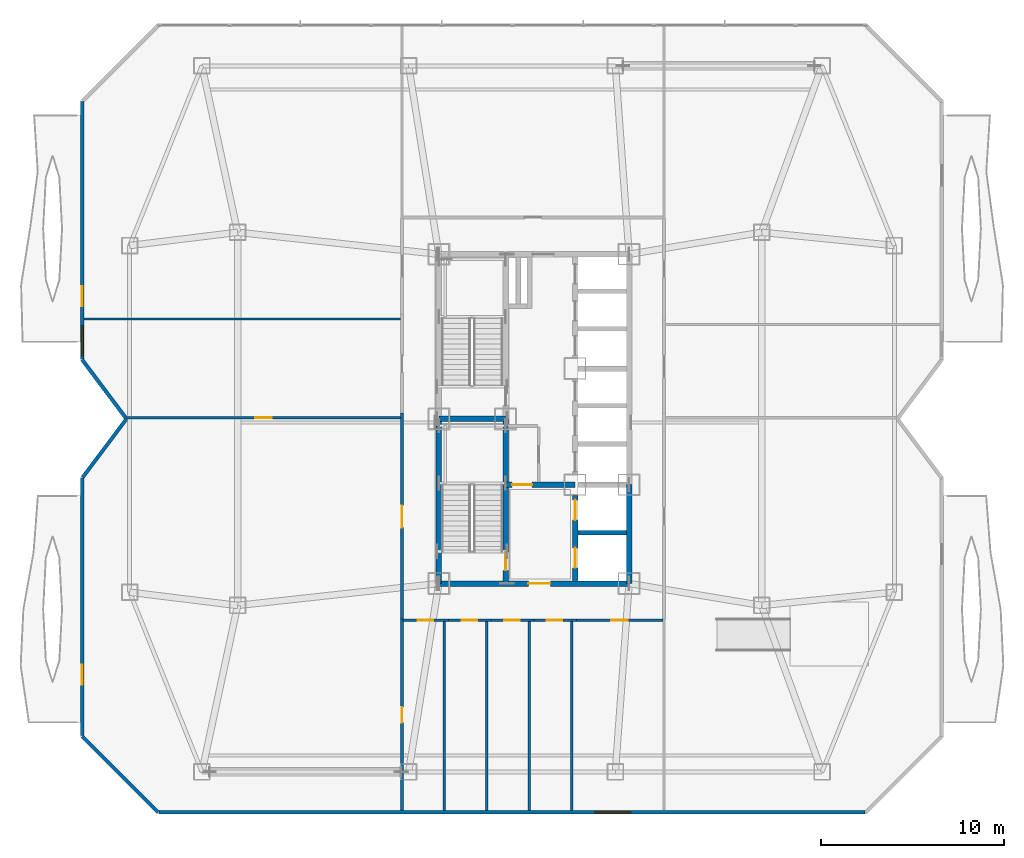
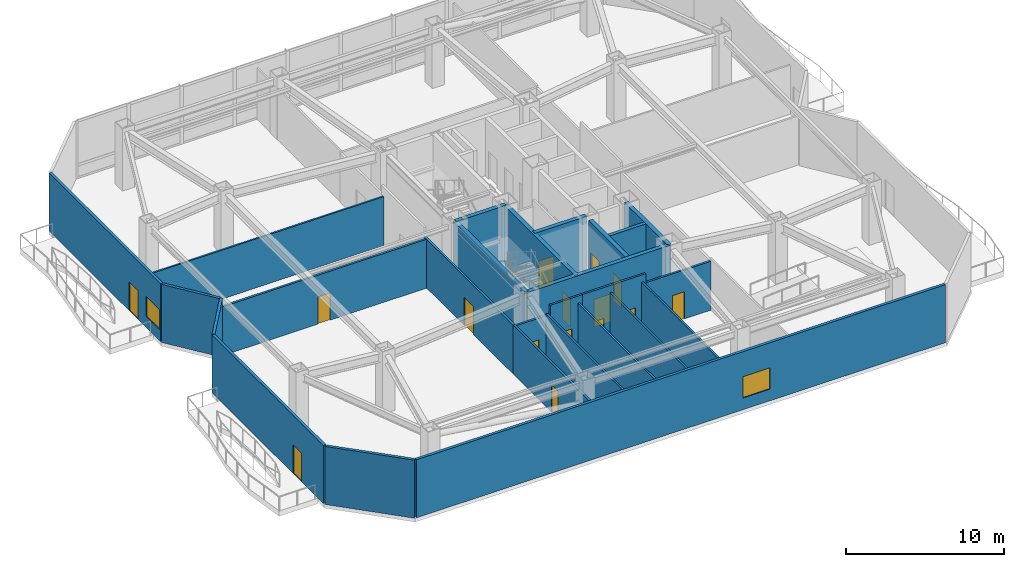
# One storey, part 10 of 16: 27 walls, 15 doors, 2 windows, 17 openings.
"""IFC4 building model written with IfcOpenShell, lengths in metres."""

from ifc_helpers import new_model, si_unit, direction, frame, frame_2d, origin, place, context, subcontext, project, spatial, rectangle, extrude, material, layer, layer_set, type_object, element, fill, save


model = new_model("IFC4")

# Units and contexts
model_context = context("Model", 3, precision=1e-05, world=origin(), true_north=direction((0.0, 1.0)))
body_context = subcontext(model_context, "Body", "Model", "MODEL_VIEW")
ifc_project = project(units=[si_unit("LENGTHUNIT", "METRE"), si_unit("AREAUNIT", "SQUARE_METRE"), si_unit("VOLUMEUNIT", "CUBIC_METRE"), si_unit("PLANEANGLEUNIT", "RADIAN"), si_unit("MASSUNIT", "GRAM", prefix="KILO")], contexts=[model_context])

# Site, building, storey
site_placement = place(None, origin())
site = spatial("IfcSite", under=ifc_project, at=site_placement, CompositionType="ELEMENT")
building_placement = place(site_placement, origin())
building = spatial("IfcBuilding", under=site, at=building_placement, Name="Khamvora Tower", CompositionType="ELEMENT")
storey_placement = place(building_placement, frame((0.0, 0.0, 145.699951171875)))
storey = spatial("IfcBuildingStorey", under=building, at=storey_placement, Name="L37", CompositionType="ELEMENT", Elevation=145.699951171875)

# Wall
ifc_material_1 = material(Name="Concrete C50/60", Category="concrete")
ifc_layer_1 = layer(ifc_material_1, 0.300048828125)
ifc_layer_set_1 = layer_set([ifc_layer_1], Name="Concrete C50/60")
wall_type_1 = type_object("IfcWallType", Name="WAL-CORE-300", PredefinedType="SHEAR", material=ifc_layer_set_1)
wall_1_placement = place(storey_placement, frame((29.0, 19.0, 0.0), z_axis=(0.0, 0.0, 1.0), x_axis=(0.0, 1.0, 0.0)))
element("IfcWall", 1, at=wall_1_placement, inside=storey, type_object=wall_type_1, Name="L37 central core west south wall", PredefinedType="SHEAR", context=body_context, shape_type="SweptSolid", body=[
    extrude(rectangle(XDim=9.0, YDim=0.300048828125, at=frame_2d((4.5, 0.0))), origin(), (0.0, 0.0, 1.0), 4.47998046875),
])

# Wall, opening, door
wall_2_placement = place(storey_placement, frame((29.0, 19.0, 0.0), z_axis=(0.0, 0.0, 1.0), x_axis=(1.0, 0.0, 0.0)))
wall_2 = element("IfcWall", 2, at=wall_2_placement, inside=storey, type_object=wall_type_1, Name="L37 central core south wall", PredefinedType="SHEAR", context=body_context, shape_type="SweptSolid", body=[
    extrude(rectangle(XDim=10.39990234375, YDim=0.300048828125, at=frame_2d((5.199951171875, 0.0))), origin(), (0.0, 0.0, 1.0), 4.47998046875),
])
opening_1_placement = place(wall_2_placement, frame((4.89990234375, 0.0, 0.0)))
opening_1 = element("IfcOpeningElement", 3, at=opening_1_placement, cuts=wall_2, Name="Opening D-CR1", PredefinedType="OPENING", context=body_context, shape_type="SweptSolid", body=[
    extrude(rectangle(XDim=1.199951171875, YDim=2.14990234375, at=frame_2d((0.60009765625, 1.074951171875))), frame((0.0, 0.159912109375, 0.0), z_axis=(0.0, -1.0, 0.0), x_axis=(1.0, 0.0, 0.0)), (0.0, 0.0, 1.0), 0.320068359375),
])
ifc_material_2 = material(Name="Powder-Coated Steel and Hardwood Leaf", Category="steel")
door_type_1 = type_object("IfcDoorType", Name="DOR-CORR-1200", OperationType="NOTDEFINED", PredefinedType="DOOR", material=ifc_material_2)
door_1_placement = place(opening_1_placement, origin())
door_1 = element("IfcDoor", 4, at=door_1_placement, inside=storey, type_object=door_type_1, Name="L37 south core lobby to corridor fire door", OperationType="SINGLE_SWING_RIGHT", OverallHeight=2.14990234375, OverallWidth=1.199951171875, PredefinedType="DOOR", context=body_context, shape_type="SweptSolid", body=[
    extrude(rectangle(XDim=1.199951171875, YDim=2.14990234375, at=frame_2d((0.60009765625, 1.074951171875))), frame((0.0, 0.02490234375, 0.0), z_axis=(0.0, -1.0, 0.0), x_axis=(1.0, 0.0, 0.0)), (0.0, 0.0, 1.0), 0.050048828125),
])
fill(opening_1, door_1)

# Wall
wall_3_placement = place(storey_placement, frame((39.39990234375, 19.0, 0.0), z_axis=(0.0, 0.0, 1.0), x_axis=(0.0, 1.0, 0.0)))
element("IfcWall", 5, at=wall_3_placement, inside=storey, type_object=wall_type_1, Name="L37 central core east south wall", PredefinedType="SHEAR", context=body_context, shape_type="SweptSolid", body=[
    extrude(rectangle(XDim=5.39990234375, YDim=0.300048828125, at=frame_2d((2.699951171875, 0.0))), origin(), (0.0, 0.0, 1.0), 4.47998046875),
])

# Wall, opening, door
wall_4_placement = place(storey_placement, frame((32.64990234375, 19.0, 0.0), z_axis=(0.0, 0.0, 1.0), x_axis=(0.0, 1.0, 0.0)))
wall_4 = element("IfcWall", 6, at=wall_4_placement, inside=storey, type_object=wall_type_1, Name="L37 central core stair south spine wall", PredefinedType="SHEAR", context=body_context, shape_type="SweptSolid", body=[
    extrude(rectangle(XDim=9.0, YDim=0.300048828125, at=frame_2d((4.5, 0.0))), origin(), (0.0, 0.0, 1.0), 4.47998046875),
])
opening_2_placement = place(wall_4_placement, frame((0.719970703125, 0.0, 0.0)))
opening_2 = element("IfcOpeningElement", 7, at=opening_2_placement, cuts=wall_4, Name="Opening D-ST1", PredefinedType="OPENING", context=body_context, shape_type="SweptSolid", body=[
    extrude(rectangle(XDim=1.0, YDim=2.14990234375, at=frame_2d((0.5, 1.074951171875))), frame((0.0, 0.159912109375, 0.0), z_axis=(0.0, -1.0, 0.0), x_axis=(1.0, 0.0, 0.0)), (0.0, 0.0, 1.0), 0.320068359375),
])
door_type_2 = type_object("IfcDoorType", Name="DOR-STAIR-1000", OperationType="NOTDEFINED", PredefinedType="DOOR", material=ifc_material_2)
door_2_placement = place(opening_2_placement, origin())
door_2 = element("IfcDoor", 8, at=door_2_placement, inside=storey, type_object=door_type_2, Name="L37 exit stair ST-01 fire door", OperationType="SINGLE_SWING_RIGHT", OverallHeight=2.14990234375, OverallWidth=1.0, PredefinedType="DOOR", context=body_context, shape_type="SweptSolid", body=[
    extrude(rectangle(XDim=1.0, YDim=2.14990234375, at=frame_2d((0.5, 1.074951171875))), frame((0.0, 0.02490234375, 0.0), z_axis=(0.0, -1.0, 0.0), x_axis=(1.0, 0.0, 0.0)), (0.0, 0.0, 1.0), 0.050048828125),
])
fill(opening_2, door_2)

# Wall
wall_5_placement = place(storey_placement, frame((29.0, 28.0, 0.0), z_axis=(0.0, 0.0, 1.0), x_axis=(1.0, 0.0, 0.0)))
element("IfcWall", 9, at=wall_5_placement, inside=storey, type_object=wall_type_1, Name="L37 central core stair cross wall", PredefinedType="SHEAR", context=body_context, shape_type="SweptSolid", body=[
    extrude(rectangle(XDim=3.64990234375, YDim=0.300048828125, at=frame_2d((1.824951171875, 0.0))), origin(), (0.0, 0.0, 1.0), 4.47998046875),
])

# Wall, opening, door
wall_6_placement = place(storey_placement, frame((32.64990234375, 24.39990234375, 0.0), z_axis=(0.0, 0.0, 1.0), x_axis=(1.0, 0.0, 0.0)))
wall_6 = element("IfcWall", 10, at=wall_6_placement, inside=storey, type_object=wall_type_1, Name="L37 central core firefighting lobby north wall", PredefinedType="SHEAR", context=body_context, shape_type="SweptSolid", body=[
    extrude(rectangle(XDim=3.800048828125, YDim=0.300048828125, at=frame_2d((1.89990234375, 0.0))), origin(), (0.0, 0.0, 1.0), 4.47998046875),
])
opening_3_placement = place(wall_6_placement, frame((0.35009765625, 0.0, 0.0)))
opening_3 = element("IfcOpeningElement", 11, at=opening_3_placement, cuts=wall_6, Name="Opening D-FF1", PredefinedType="OPENING", context=body_context, shape_type="SweptSolid", body=[
    extrude(rectangle(XDim=1.10009765625, YDim=2.14990234375, at=frame_2d((0.550048828125, 1.074951171875))), frame((0.0, 0.159912109375, 0.0), z_axis=(0.0, -1.0, 0.0), x_axis=(1.0, 0.0, 0.0)), (0.0, 0.0, 1.0), 0.320068359375),
])
door_type_3 = type_object("IfcDoorType", Name="DOR-FFLOB-1100", OperationType="NOTDEFINED", PredefinedType="DOOR", material=ifc_material_2)
door_3_placement = place(opening_3_placement, origin())
door_3 = element("IfcDoor", 12, at=door_3_placement, inside=storey, type_object=door_type_3, Name="L37 firefighting lobby smoke-seal fire door", OperationType="SINGLE_SWING_LEFT", OverallHeight=2.14990234375, OverallWidth=1.10009765625, PredefinedType="DOOR", context=body_context, shape_type="SweptSolid", body=[
    extrude(rectangle(XDim=1.10009765625, YDim=2.14990234375, at=frame_2d((0.550048828125, 1.074951171875))), frame((0.0, 0.02490234375, 0.0), z_axis=(0.0, -1.0, 0.0), x_axis=(1.0, 0.0, 0.0)), (0.0, 0.0, 1.0), 0.050048828125),
])
fill(opening_3, door_3)

# Wall, openings, doors
wall_7_placement = place(storey_placement, frame((36.449951171875, 19.154052734375, 0.0), z_axis=(0.0, 0.0, 1.0), x_axis=(0.0, 1.0, 0.0)))
wall_7 = element("IfcWall", 13, at=wall_7_placement, inside=storey, type_object=wall_type_1, Name="L37 central core lift bank south wall", PredefinedType="SHEAR", context=body_context, shape_type="SweptSolid", body=[
    extrude(rectangle(XDim=4.64599609375, YDim=0.300048828125, at=frame_2d((2.322998046875, 0.0))), origin(), (0.0, 0.0, 1.0), 4.47998046875),
])
opening_4_placement = place(wall_7_placement, frame((0.696044921875, 0.0, 0.0)))
opening_4 = element("IfcOpeningElement", 14, at=opening_4_placement, cuts=wall_7, Name="Opening LD-FFL", PredefinedType="OPENING", context=body_context, shape_type="SweptSolid", body=[
    extrude(rectangle(XDim=1.10009765625, YDim=2.14990234375, at=frame_2d((0.550048828125, 1.074951171875))), frame((0.0, 0.159912109375, 0.0), z_axis=(0.0, -1.0, 0.0), x_axis=(1.0, 0.0, 0.0)), (0.0, 0.0, 1.0), 0.320068359375),
])
opening_5_placement = place(wall_7_placement, frame((3.31591796875, 0.0, 0.0)))
opening_5 = element("IfcOpeningElement", 15, at=opening_5_placement, cuts=wall_7, Name="Opening LD-FFL", PredefinedType="OPENING", context=body_context, shape_type="SweptSolid", body=[
    extrude(rectangle(XDim=1.10009765625, YDim=2.14990234375, at=frame_2d((0.550048828125, 1.074951171875))), frame((0.0, 0.159912109375, 0.0), z_axis=(0.0, -1.0, 0.0), x_axis=(1.0, 0.0, 0.0)), (0.0, 0.0, 1.0), 0.320068359375),
])
door_type_4 = type_object("IfcDoorType", Name="DOR-LIFT-1100", OperationType="SLIDING_TO_LEFT", PredefinedType="DOOR", material=ifc_material_2)
door_4_placement = place(opening_4_placement, origin())
door_4 = element("IfcDoor", 16, at=door_4_placement, inside=storey, type_object=door_type_4, Name="L37 lift landing sliding door FFL-01", OperationType="SLIDING_TO_LEFT", OverallHeight=2.14990234375, OverallWidth=1.10009765625, PredefinedType="DOOR", context=body_context, shape_type="SweptSolid", body=[
    extrude(rectangle(XDim=1.10009765625, YDim=2.14990234375, at=frame_2d((0.550048828125, 1.074951171875))), frame((0.0, 0.02490234375, 0.0), z_axis=(0.0, -1.0, 0.0), x_axis=(1.0, 0.0, 0.0)), (0.0, 0.0, 1.0), 0.050048828125),
])
fill(opening_4, door_4)
door_5_placement = place(opening_5_placement, origin())
door_5 = element("IfcDoor", 17, at=door_5_placement, inside=storey, type_object=door_type_4, Name="L37 lift landing sliding door FFL-02", OperationType="SLIDING_TO_LEFT", OverallHeight=2.14990234375, OverallWidth=1.10009765625, PredefinedType="DOOR", context=body_context, shape_type="SweptSolid", body=[
    extrude(rectangle(XDim=1.10009765625, YDim=2.14990234375, at=frame_2d((0.550048828125, 1.074951171875))), frame((0.0, 0.02490234375, 0.0), z_axis=(0.0, -1.0, 0.0), x_axis=(1.0, 0.0, 0.0)), (0.0, 0.0, 1.0), 0.050048828125),
])
fill(opening_5, door_5)

# Wall, opening, door
ifc_material_3 = material(Name="Fire-Rated Drywall and Steel Stud", Category="steel")
ifc_layer_2 = layer(ifc_material_3, 0.14990234375)
ifc_layer_set_2 = layer_set([ifc_layer_2], Name="Fire-Rated Drywall and Steel Stud")
wall_type_2 = type_object("IfcWallType", Name="WAL-CORR-150", PredefinedType="STANDARD", material=ifc_layer_set_2)
wall_8_placement = place(storey_placement, frame((26.985107421875, 17.050048828125, 0.0), z_axis=(0.0, 0.0, 1.0), x_axis=(0.0, 1.0, 0.0)))
wall_8 = element("IfcWall", 18, at=wall_8_placement, inside=storey, type_object=wall_type_2, Name="L37 interior partition wall 004", PredefinedType="STANDARD", context=body_context, shape_type="SweptSolid", body=[
    extrude(rectangle(XDim=11.263916015625, YDim=0.14990234375, at=frame_2d((5.6318359375, 0.0))), origin(), (0.0, 0.0, 1.0), 3.775146484375),
])
opening_6_placement = place(wall_8_placement, frame((5.010986328125, 0.0, 0.0)))
opening_6 = element("IfcOpeningElement", 19, at=opening_6_placement, cuts=wall_8, Name="Opening D-CR1", PredefinedType="OPENING", context=body_context, shape_type="SweptSolid", body=[
    extrude(rectangle(XDim=1.199951171875, YDim=2.14990234375, at=frame_2d((0.60009765625, 1.074951171875))), frame((0.0, 0.0849609375, 0.0), z_axis=(0.0, -1.0, 0.0), x_axis=(1.0, 0.0, 0.0)), (0.0, 0.0, 1.0), 0.169921875),
])
door_6_placement = place(opening_6_placement, origin())
door_6 = element("IfcDoor", 20, at=door_6_placement, inside=storey, type_object=door_type_1, Name="L37 interior door ACOR-SKYL", OperationType="SINGLE_SWING_RIGHT", OverallHeight=2.14990234375, OverallWidth=1.199951171875, PredefinedType="DOOR", context=body_context, shape_type="SweptSolid", body=[
    extrude(rectangle(XDim=1.199951171875, YDim=2.14990234375, at=frame_2d((0.60009765625, 1.074951171875))), frame((0.0, 0.02490234375, 0.0), z_axis=(0.0, -1.0, 0.0), x_axis=(1.0, 0.0, 0.0)), (0.0, 0.0, 1.0), 0.050048828125),
])
fill(opening_6, door_6)

wall_9_placement = place(storey_placement, frame((29.533935546875, 16.985107421875, 0.0), z_axis=(0.0, 0.0, 1.0), x_axis=(-1.0, 0.0, 0.0)))
wall_9 = element("IfcWall", 21, at=wall_9_placement, inside=storey, type_object=wall_type_2, Name="L37 interior partition wall 009", PredefinedType="STANDARD", context=body_context, shape_type="SweptSolid", body=[
    extrude(rectangle(XDim=2.48388671875, YDim=0.14990234375, at=frame_2d((1.241943359375, 0.0))), origin(), (0.0, 0.0, 1.0), 3.775146484375),
])
opening_7_placement = place(wall_9_placement, frame((0.837890625, 0.0, 0.0)))
opening_7 = element("IfcOpeningElement", 22, at=opening_7_placement, cuts=wall_9, Name="Opening D-WC1", PredefinedType="OPENING", context=body_context, shape_type="SweptSolid", body=[
    extrude(rectangle(XDim=0.85009765625, YDim=2.10009765625, at=frame_2d((0.425048828125, 1.050048828125))), frame((0.0, 0.0849609375, 0.0), z_axis=(0.0, -1.0, 0.0), x_axis=(1.0, 0.0, 0.0)), (0.0, 0.0, 1.0), 0.169921875),
])
door_type_5 = type_object("IfcDoorType", Name="DOR-WET-850", OperationType="NOTDEFINED", PredefinedType="DOOR", material=ifc_material_2)
door_7_placement = place(opening_7_placement, origin())
door_7 = element("IfcDoor", 23, at=door_7_placement, inside=storey, type_object=door_type_5, Name="L37 interior door ACOR-AWC1", OperationType="SINGLE_SWING_LEFT", OverallHeight=2.10009765625, OverallWidth=0.85009765625, PredefinedType="DOOR", context=body_context, shape_type="SweptSolid", body=[
    extrude(rectangle(XDim=0.85009765625, YDim=2.10009765625, at=frame_2d((0.425048828125, 1.050048828125))), frame((0.0, 0.02490234375, 0.0), z_axis=(0.0, -1.0, 0.0), x_axis=(1.0, 0.0, 0.0)), (0.0, 0.0, 1.0), 0.050048828125),
])
fill(opening_7, door_7)

wall_10_placement = place(storey_placement, frame((31.864013671875, 16.985107421875, 0.0), z_axis=(0.0, 0.0, 1.0), x_axis=(-1.0, 0.0, 0.0)))
wall_10 = element("IfcWall", 24, at=wall_10_placement, inside=storey, type_object=wall_type_2, Name="L37 interior partition wall 010", PredefinedType="STANDARD", context=body_context, shape_type="SweptSolid", body=[
    extrude(rectangle(XDim=2.330078125, YDim=0.14990234375, at=frame_2d((1.1650390625, 0.0))), origin(), (0.0, 0.0, 1.0), 4.47998046875),
])
opening_8_placement = place(wall_10_placement, frame((0.760986328125, 0.0, 0.0)))
opening_8 = element("IfcOpeningElement", 25, at=opening_8_placement, cuts=wall_10, Name="Opening D-WC1", PredefinedType="OPENING", context=body_context, shape_type="SweptSolid", body=[
    extrude(rectangle(XDim=0.85009765625, YDim=2.10009765625, at=frame_2d((0.425048828125, 1.050048828125))), frame((0.0, 0.0849609375, 0.0), z_axis=(0.0, -1.0, 0.0), x_axis=(1.0, 0.0, 0.0)), (0.0, 0.0, 1.0), 0.169921875),
])
door_8_placement = place(opening_8_placement, origin())
door_8 = element("IfcDoor", 26, at=door_8_placement, inside=storey, type_object=door_type_5, Name="L37 interior door ACOR-AWC2", OperationType="SINGLE_SWING_RIGHT", OverallHeight=2.10009765625, OverallWidth=0.85009765625, PredefinedType="DOOR", context=body_context, shape_type="SweptSolid", body=[
    extrude(rectangle(XDim=0.85009765625, YDim=2.10009765625, at=frame_2d((0.425048828125, 1.050048828125))), frame((0.0, 0.02490234375, 0.0), z_axis=(0.0, -1.0, 0.0), x_axis=(1.0, 0.0, 0.0)), (0.0, 0.0, 1.0), 0.050048828125),
])
fill(opening_8, door_8)

wall_11_placement = place(storey_placement, frame((34.194091796875, 16.985107421875, 0.0), z_axis=(0.0, 0.0, 1.0), x_axis=(-1.0, 0.0, 0.0)))
wall_11 = element("IfcWall", 27, at=wall_11_placement, inside=storey, type_object=wall_type_2, Name="L37 interior partition wall 011", PredefinedType="STANDARD", context=body_context, shape_type="SweptSolid", body=[
    extrude(rectangle(XDim=2.330078125, YDim=0.14990234375, at=frame_2d((1.1650390625, 0.0))), origin(), (0.0, 0.0, 1.0), 4.47998046875),
])
opening_9_placement = place(wall_11_placement, frame((0.760986328125, 0.0, 0.0)))
opening_9 = element("IfcOpeningElement", 28, at=opening_9_placement, cuts=wall_11, Name="Opening D-WC1", PredefinedType="OPENING", context=body_context, shape_type="SweptSolid", body=[
    extrude(rectangle(XDim=0.85009765625, YDim=2.10009765625, at=frame_2d((0.425048828125, 1.050048828125))), frame((0.0, 0.0849609375, 0.0), z_axis=(0.0, -1.0, 0.0), x_axis=(1.0, 0.0, 0.0)), (0.0, 0.0, 1.0), 0.169921875),
])
door_9_placement = place(opening_9_placement, origin())
door_9 = element("IfcDoor", 29, at=door_9_placement, inside=storey, type_object=door_type_5, Name="L37 interior door ACOR-AWC3", OperationType="SINGLE_SWING_LEFT", OverallHeight=2.10009765625, OverallWidth=0.85009765625, PredefinedType="DOOR", context=body_context, shape_type="SweptSolid", body=[
    extrude(rectangle(XDim=0.85009765625, YDim=2.10009765625, at=frame_2d((0.425048828125, 1.050048828125))), frame((0.0, 0.02490234375, 0.0), z_axis=(0.0, -1.0, 0.0), x_axis=(1.0, 0.0, 0.0)), (0.0, 0.0, 1.0), 0.050048828125),
])
fill(opening_9, door_9)

wall_12_placement = place(storey_placement, frame((36.513916015625, 16.985107421875, 0.0), z_axis=(0.0, 0.0, 1.0), x_axis=(-1.0, 0.0, 0.0)))
wall_12 = element("IfcWall", 30, at=wall_12_placement, inside=storey, type_object=wall_type_2, Name="L37 interior partition wall 012", PredefinedType="STANDARD", context=body_context, shape_type="SweptSolid", body=[
    extrude(rectangle(XDim=2.31982421875, YDim=0.14990234375, at=frame_2d((1.159912109375, 0.0))), origin(), (0.0, 0.0, 1.0), 4.47998046875),
])
opening_10_placement = place(wall_12_placement, frame((0.756103515625, 0.0, 0.0)))
opening_10 = element("IfcOpeningElement", 31, at=opening_10_placement, cuts=wall_12, Name="Opening D-WC1", PredefinedType="OPENING", context=body_context, shape_type="SweptSolid", body=[
    extrude(rectangle(XDim=0.85009765625, YDim=2.10009765625, at=frame_2d((0.425048828125, 1.050048828125))), frame((0.0, 0.0849609375, 0.0), z_axis=(0.0, -1.0, 0.0), x_axis=(1.0, 0.0, 0.0)), (0.0, 0.0, 1.0), 0.169921875),
])
door_10_placement = place(opening_10_placement, origin())
door_10 = element("IfcDoor", 32, at=door_10_placement, inside=storey, type_object=door_type_5, Name="L37 interior door ACOR-AWC4", OperationType="SINGLE_SWING_RIGHT", OverallHeight=2.10009765625, OverallWidth=0.85009765625, PredefinedType="DOOR", context=body_context, shape_type="SweptSolid", body=[
    extrude(rectangle(XDim=0.85009765625, YDim=2.10009765625, at=frame_2d((0.425048828125, 1.050048828125))), frame((0.0, 0.02490234375, 0.0), z_axis=(0.0, -1.0, 0.0), x_axis=(1.0, 0.0, 0.0)), (0.0, 0.0, 1.0), 0.050048828125),
])
fill(opening_10, door_10)

wall_13_placement = place(storey_placement, frame((41.25, 16.985107421875, 0.0), z_axis=(0.0, 0.0, 1.0), x_axis=(-1.0, 0.0, 0.0)))
wall_13 = element("IfcWall", 33, at=wall_13_placement, inside=storey, type_object=wall_type_2, Name="L37 interior partition wall 013", PredefinedType="STANDARD", context=body_context, shape_type="SweptSolid", body=[
    extrude(rectangle(XDim=4.736083984375, YDim=0.14990234375, at=frame_2d((2.3681640625, 0.0))), origin(), (0.0, 0.0, 1.0), 3.775146484375),
])
opening_11_placement = place(wall_13_placement, frame((1.91796875, 0.0, 0.0)))
opening_11 = element("IfcOpeningElement", 34, at=opening_11_placement, cuts=wall_13, Name="Opening D-RM1", PredefinedType="OPENING", context=body_context, shape_type="SweptSolid", body=[
    extrude(rectangle(XDim=0.89990234375, YDim=2.10009765625, at=frame_2d((0.449951171875, 1.050048828125))), frame((0.0, 0.0849609375, 0.0), z_axis=(0.0, -1.0, 0.0), x_axis=(1.0, 0.0, 0.0)), (0.0, 0.0, 1.0), 0.169921875),
])
door_type_6 = type_object("IfcDoorType", Name="DOR-ROOM-900", OperationType="NOTDEFINED", PredefinedType="DOOR", material=ifc_material_2)
door_11_placement = place(opening_11_placement, origin())
door_11 = element("IfcDoor", 35, at=door_11_placement, inside=storey, type_object=door_type_6, Name="L37 interior door ACOR-AST2", OperationType="SINGLE_SWING_LEFT", OverallHeight=2.10009765625, OverallWidth=0.89990234375, PredefinedType="DOOR", context=body_context, shape_type="SweptSolid", body=[
    extrude(rectangle(XDim=0.89990234375, YDim=2.10009765625, at=frame_2d((0.449951171875, 1.050048828125))), frame((0.0, 0.02490234375, 0.0), z_axis=(0.0, -1.0, 0.0), x_axis=(1.0, 0.0, 0.0)), (0.0, 0.0, 1.0), 0.050048828125),
])
fill(opening_11, door_11)

wall_14_placement = place(storey_placement, frame((11.927978515625, 28.06494140625, 0.0), z_axis=(0.0, 0.0, 1.0), x_axis=(1.0, 0.0, 0.0)))
wall_14 = element("IfcWall", 36, at=wall_14_placement, inside=storey, type_object=wall_type_2, Name="L37 interior partition wall 017", PredefinedType="STANDARD", context=body_context, shape_type="SweptSolid", body=[
    extrude(rectangle(XDim=14.989990234375, YDim=0.14990234375, at=frame_2d((7.4951171875, 0.0))), origin(), (0.0, 0.0, 1.0), 3.775146484375),
])
opening_12_placement = place(wall_14_placement, frame((7.044921875, 0.0, 0.0)))
opening_12 = element("IfcOpeningElement", 37, at=opening_12_placement, cuts=wall_14, Name="Opening D-RM1", PredefinedType="OPENING", context=body_context, shape_type="SweptSolid", body=[
    extrude(rectangle(XDim=0.89990234375, YDim=2.10009765625, at=frame_2d((0.449951171875, 1.050048828125))), frame((0.0, 0.0849609375, 0.0), z_axis=(0.0, -1.0, 0.0), x_axis=(1.0, 0.0, 0.0)), (0.0, 0.0, 1.0), 0.169921875),
])
door_12_placement = place(opening_12_placement, origin())
door_12 = element("IfcDoor", 38, at=door_12_placement, inside=storey, type_object=door_type_6, Name="L37 interior door SKYL-MEET", OperationType="SINGLE_SWING_LEFT", OverallHeight=2.10009765625, OverallWidth=0.89990234375, PredefinedType="DOOR", context=body_context, shape_type="SweptSolid", body=[
    extrude(rectangle(XDim=0.89990234375, YDim=2.10009765625, at=frame_2d((0.449951171875, 1.050048828125))), frame((0.0, 0.02490234375, 0.0), z_axis=(0.0, -1.0, 0.0), x_axis=(1.0, 0.0, 0.0)), (0.0, 0.0, 1.0), 0.050048828125),
])
fill(opening_12, door_12)

wall_15_placement = place(storey_placement, frame((26.985107421875, 17.050048828125, 0.0), z_axis=(0.0, 0.0, 1.0), x_axis=(0.0, -1.0, 0.0)))
wall_15 = element("IfcWall", 39, at=wall_15_placement, inside=storey, type_object=wall_type_2, Name="L37 interior partition wall 018", PredefinedType="STANDARD", context=body_context, shape_type="SweptSolid", body=[
    extrude(rectangle(XDim=10.4580078125, YDim=0.14990234375, at=frame_2d((5.22900390625, 0.0))), origin(), (0.0, 0.0, 1.0), 3.775146484375),
])
opening_13_placement = place(wall_15_placement, frame((4.803955078125, 0.0, 0.0)))
opening_13 = element("IfcOpeningElement", 40, at=opening_13_placement, cuts=wall_15, Name="Opening D-WC1", PredefinedType="OPENING", context=body_context, shape_type="SweptSolid", body=[
    extrude(rectangle(XDim=0.85009765625, YDim=2.10009765625, at=frame_2d((0.425048828125, 1.050048828125))), frame((0.0, 0.0849609375, 0.0), z_axis=(0.0, -1.0, 0.0), x_axis=(1.0, 0.0, 0.0)), (0.0, 0.0, 1.0), 0.169921875),
])
door_13_placement = place(opening_13_placement, origin())
door_13 = element("IfcDoor", 41, at=door_13_placement, inside=storey, type_object=door_type_5, Name="L37 interior door SKYL-AWC1", OperationType="SINGLE_SWING_RIGHT", OverallHeight=2.10009765625, OverallWidth=0.85009765625, PredefinedType="DOOR", context=body_context, shape_type="SweptSolid", body=[
    extrude(rectangle(XDim=0.85009765625, YDim=2.10009765625, at=frame_2d((0.425048828125, 1.050048828125))), frame((0.0, 0.02490234375, 0.0), z_axis=(0.0, -1.0, 0.0), x_axis=(1.0, 0.0, 0.0)), (0.0, 0.0, 1.0), 0.050048828125),
])
fill(opening_13, door_13)

# Wall
ifc_material_4 = material(Name="Precast concrete C40/50", Category="concrete")
ifc_layer_3 = layer(ifc_material_4, 0.199951171875)
ifc_layer_set_3 = layer_set([ifc_layer_3], Name="Precast concrete C40/50")
wall_type_3 = type_object("IfcWallType", Name="WAL-EXT-200", PredefinedType="STANDARD", material=ifc_layer_set_3)
wall_16_placement = place(storey_placement, frame((13.64111328125, 6.5, 0.0), z_axis=(0.0, 0.0, 1.0), x_axis=(-0.707106781187, 0.707106781187, 0.0)))
element("IfcWall", 42, at=wall_16_placement, inside=storey, type_object=wall_type_3, Name="L37 exterior facade wall 01.1", PredefinedType="STANDARD", context=body_context, shape_type="SweptSolid", body=[
    extrude(rectangle(XDim=5.8564453125, YDim=0.199951171875, at=frame_2d((2.92822265625, 0.0))), origin(), (0.0, 0.0, 1.0), 4.47998046875),
])

# Wall, opening, door
wall_17_placement = place(storey_placement, frame((9.5, 10.7041015625, 0.0), z_axis=(0.0, 0.0, 1.0), x_axis=(0.0, 1.0, 0.0)))
wall_17 = element("IfcWall", 43, at=wall_17_placement, inside=storey, type_object=wall_type_3, Name="L37 exterior facade wall 02.1", PredefinedType="STANDARD", context=body_context, shape_type="SweptSolid", body=[
    extrude(rectangle(XDim=14.06298828125, YDim=0.199951171875, at=frame_2d((7.031494140625, 0.0))), origin(), (0.0, 0.0, 1.0), 4.47998046875),
])
opening_14_placement = place(wall_17_placement, frame((2.748046875, 0.0, 0.0)))
opening_14 = element("IfcOpeningElement", 44, at=opening_14_placement, cuts=wall_17, Name="Opening BD-01", PredefinedType="OPENING", context=body_context, shape_type="SweptSolid", body=[
    extrude(rectangle(XDim=1.10009765625, YDim=2.199951171875, at=frame_2d((0.550048828125, 1.10009765625))), frame((0.0, 0.10986328125, 0.0), z_axis=(0.0, -1.0, 0.0), x_axis=(1.0, 0.0, 0.0)), (0.0, 0.0, 1.0), 0.219970703125),
])
ifc_material_5 = material(Name="Anodised Aluminium and Laminated Safety Glass", Category="aluminium")
door_type_7 = type_object("IfcDoorType", Name="DOR-BAL-1100", OperationType="NOTDEFINED", PredefinedType="DOOR", material=ifc_material_5)
door_14_placement = place(opening_14_placement, origin())
door_14 = element("IfcDoor", 45, at=door_14_placement, inside=storey, type_object=door_type_7, Name="L37 lens gallery balcony door WL1", OperationType="SLIDING_TO_LEFT", OverallHeight=2.199951171875, OverallWidth=1.10009765625, PredefinedType="DOOR", context=body_context, shape_type="SweptSolid", body=[
    extrude(rectangle(XDim=1.10009765625, YDim=2.199951171875, at=frame_2d((0.550048828125, 1.10009765625))), frame((0.0, 0.02490234375, 0.0), z_axis=(0.0, -1.0, 0.0), x_axis=(1.0, 0.0, 0.0)), (0.0, 0.0, 1.0), 0.050048828125),
])
fill(opening_14, door_14)

# Walls
wall_18_placement = place(storey_placement, frame((9.530029296875, 24.806884765625, 0.0), z_axis=(0.0, 0.0, 1.0), x_axis=(0.600029358831, 0.799977980035, 0.0)))
element("IfcWall", 46, at=wall_18_placement, inside=storey, type_object=wall_type_3, Name="L37 exterior facade wall 03.1", PredefinedType="STANDARD", context=body_context, shape_type="SweptSolid", body=[
    extrude(rectangle(XDim=3.991455078125, YDim=0.199951171875, at=frame_2d((1.99560546875, 0.0))), origin(), (0.0, 0.0, 1.0), 4.47998046875),
])
wall_19_placement = place(storey_placement, frame((11.873046875, 28.069091796875, 0.0), z_axis=(0.0, 0.0, 1.0), x_axis=(-0.600029630681, 0.799977776132, 0.0)))
element("IfcWall", 47, at=wall_19_placement, inside=storey, type_object=wall_type_3, Name="L37 exterior facade wall 04.1", PredefinedType="STANDARD", context=body_context, shape_type="SweptSolid", body=[
    extrude(rectangle(XDim=3.954833984375, YDim=0.199951171875, at=frame_2d((1.9775390625, 0.0))), origin(), (0.0, 0.0, 1.0), 4.47998046875),
])

# Wall, openings, door, window
wall_20_placement = place(storey_placement, frame((9.5, 31.283935546875, 0.0), z_axis=(0.0, 0.0, 1.0), x_axis=(0.0, 1.0, 0.0)))
wall_20 = element("IfcWall", 48, at=wall_20_placement, inside=storey, type_object=wall_type_3, Name="L37 exterior facade wall 05.1", PredefinedType="STANDARD", context=body_context, shape_type="SweptSolid", body=[
    extrude(rectangle(XDim=14.074951171875, YDim=0.199951171875, at=frame_2d((7.03759765625, 0.0))), origin(), (0.0, 0.0, 1.0), 4.47998046875),
])
opening_15_placement = place(wall_20_placement, frame((2.868896484375, 0.0, 0.0)))
opening_15 = element("IfcOpeningElement", 49, at=opening_15_placement, cuts=wall_20, Name="Opening BD-01", PredefinedType="OPENING", context=body_context, shape_type="SweptSolid", body=[
    extrude(rectangle(XDim=1.10009765625, YDim=2.199951171875, at=frame_2d((0.550048828125, 1.10009765625))), frame((0.0, 0.10986328125, 0.0), z_axis=(0.0, -1.0, 0.0), x_axis=(1.0, 0.0, 0.0)), (0.0, 0.0, 1.0), 0.219970703125),
])
opening_16_placement = place(wall_20_placement, frame((0.157958984375, 0.0, 0.85009765625)))
opening_16 = element("IfcOpeningElement", 50, at=opening_16_placement, cuts=wall_20, Name="Opening WN-06", PredefinedType="OPENING", context=body_context, shape_type="SweptSolid", body=[
    extrude(rectangle(XDim=1.64990234375, YDim=1.550048828125, at=frame_2d((0.824951171875, 0.77490234375))), frame((0.0, 0.10986328125, 0.0), z_axis=(0.0, -1.0, 0.0), x_axis=(1.0, 0.0, 0.0)), (0.0, 0.0, 1.0), 0.219970703125),
])
door_15_placement = place(opening_15_placement, origin())
door_15 = element("IfcDoor", 51, at=door_15_placement, inside=storey, type_object=door_type_7, Name="L37 lens gallery balcony door WL2", OperationType="SLIDING_TO_LEFT", OverallHeight=2.199951171875, OverallWidth=1.10009765625, PredefinedType="DOOR", context=body_context, shape_type="SweptSolid", body=[
    extrude(rectangle(XDim=1.10009765625, YDim=2.199951171875, at=frame_2d((0.550048828125, 1.10009765625))), frame((0.0, 0.02490234375, 0.0), z_axis=(0.0, -1.0, 0.0), x_axis=(1.0, 0.0, 0.0)), (0.0, 0.0, 1.0), 0.050048828125),
])
fill(opening_15, door_15)
ifc_material_6 = material(Name="Low-E Laminated Double Glazing", Category="glass")
window_type_1 = type_object("IfcWindowType", Name="WIN-VIS-1650x1550", PartitioningType="SINGLE_PANEL", PredefinedType="WINDOW", material=ifc_material_6)
window_1_placement = place(opening_16_placement, origin())
window_1 = element("IfcWindow", 52, at=window_1_placement, inside=storey, type_object=window_type_1, Name="L37 vision window 05.1.01", OverallHeight=1.550048828125, OverallWidth=1.64990234375, PartitioningType="SINGLE_PANEL", PredefinedType="WINDOW", context=body_context, shape_type="SweptSolid", body=[
    extrude(rectangle(XDim=1.64990234375, YDim=1.550048828125, at=frame_2d((0.824951171875, 0.77490234375))), frame((0.0, 0.030029296875, 0.0), z_axis=(0.0, -1.0, 0.0), x_axis=(1.0, 0.0, 0.0)), (0.0, 0.0, 1.0), 0.06005859375),
])
fill(opening_16, window_1)

# Wall, opening, window
wall_21_placement = place(storey_placement, frame((52.2958984375, 6.5, 0.0), z_axis=(0.0, 0.0, 1.0), x_axis=(-1.0, 0.0, 0.0)))
wall_21 = element("IfcWall", 53, at=wall_21_placement, inside=storey, type_object=wall_type_3, Name="L37 exterior facade wall 14.1", PredefinedType="STANDARD", context=body_context, shape_type="SweptSolid", body=[
    extrude(rectangle(XDim=38.593017578125, YDim=0.199951171875, at=frame_2d((19.29638671875, 0.0))), origin(), (0.0, 0.0, 1.0), 4.47998046875),
])
opening_17_placement = place(wall_21_placement, frame((12.80810546875, 0.0, 0.89990234375)))
opening_17 = element("IfcOpeningElement", 54, at=opening_17_placement, cuts=wall_21, Name="Opening WN-08", PredefinedType="OPENING", context=body_context, shape_type="SweptSolid", body=[
    extrude(rectangle(XDim=1.949951171875, YDim=1.64990234375, at=frame_2d((0.97509765625, 0.824951171875))), frame((0.0, 0.10986328125, 0.0), z_axis=(0.0, -1.0, 0.0), x_axis=(1.0, 0.0, 0.0)), (0.0, 0.0, 1.0), 0.219970703125),
])
window_type_2 = type_object("IfcWindowType", Name="WIN-VIS-1950x1650", PartitioningType="SINGLE_PANEL", PredefinedType="WINDOW", material=ifc_material_6)
window_2_placement = place(opening_17_placement, origin())
window_2 = element("IfcWindow", 55, at=window_2_placement, inside=storey, type_object=window_type_2, Name="L37 vision window 14.1.01", OverallHeight=1.64990234375, OverallWidth=1.949951171875, PartitioningType="SINGLE_PANEL", PredefinedType="WINDOW", context=body_context, shape_type="SweptSolid", body=[
    extrude(rectangle(XDim=1.949951171875, YDim=1.64990234375, at=frame_2d((0.97509765625, 0.824951171875))), frame((0.0, 0.030029296875, 0.0), z_axis=(0.0, -1.0, 0.0), x_axis=(1.0, 0.0, 0.0)), (0.0, 0.0, 1.0), 0.06005859375),
])
fill(opening_17, window_2)

# Walls
ifc_material_7 = material(Name="Gypsum Plasterboard Partition", Category="gypsum")
ifc_layer_4 = layer(ifc_material_7, 0.1201171875)
ifc_layer_set_4 = layer_set([ifc_layer_4], Name="Gypsum Plasterboard Partition")
wall_type_4 = type_object("IfcWallType", Name="WAL-PART-120", PredefinedType="PARTITIONING", material=ifc_layer_set_4)
wall_22_placement = place(storey_placement, frame((9.592041015625, 33.465087890625, 0.0), z_axis=(0.0, 0.0, 1.0), x_axis=(1.0, 0.0, 0.0)))
element("IfcWall", 56, at=wall_22_placement, inside=storey, type_object=wall_type_4, Name="L37 interior partition wall 019", PredefinedType="PARTITIONING", context=body_context, shape_type="SweptSolid", body=[
    extrude(rectangle(XDim=17.325927734375, YDim=0.1201171875, at=frame_2d((8.6630859375, 0.0))), origin(), (0.0, 0.0, 1.0), 3.775146484375),
])
ifc_material_8 = material(Name="Concrete C40/50", Category="concrete")
ifc_layer_5 = layer(ifc_material_8, 0.25)
ifc_layer_set_5 = layer_set([ifc_layer_5], Name="Concrete C40/50")
wall_type_5 = type_object("IfcWallType", Name="WAL-PODS-250", PredefinedType="SHEAR", material=ifc_layer_set_5)
wall_23_placement = place(storey_placement, frame((36.60400390625, 21.77490234375, 0.0), z_axis=(0.0, 0.0, 1.0), x_axis=(1.0, 0.0, 0.0)))
element("IfcWall", 57, at=wall_23_placement, inside=storey, type_object=wall_type_5, Name="L37 lift shaft divider wall FFL-01", PredefinedType="SHEAR", context=body_context, shape_type="SweptSolid", body=[
    extrude(rectangle(XDim=2.64208984375, YDim=0.25, at=frame_2d((1.321044921875, 0.0))), origin(), (0.0, 0.0, 1.0), 4.47998046875),
])
ifc_material_9 = material(Name="Moisture-Resistant Plasterboard Partition", Category="gypsum")
ifc_layer_6 = layer(ifc_material_9, 0.135009765625)
ifc_layer_set_6 = layer_set([ifc_layer_6], Name="Moisture-Resistant Plasterboard Partition")
wall_type_6 = type_object("IfcWallType", Name="WAL-WET-135", PredefinedType="PARTITIONING", material=ifc_layer_set_6)
for number, where, z_axis, x_axis, name in (
    (58, (29.284912109375, 16.91796875, 0.0), (0.0, 0.0, 1.0), (0.0, -1.0, 0.0), "L37 interior partition wall 023"),
    (59, (31.614990234375, 16.91796875, 0.0), (0.0, 0.0, 1.0), (0.0, -1.0, 0.0), "L37 interior partition wall 024"),
    (60, (33.945068359375, 16.91796875, 0.0), (0.0, 0.0, 1.0), (0.0, -1.0, 0.0), "L37 interior partition wall 025"),
    (61, (36.264892578125, 16.91796875, 0.0), (0.0, 0.0, 1.0), (0.0, -1.0, 0.0), "L37 interior partition wall 026"),
):
    element("IfcWall", number, at=place(storey_placement, frame(where, z_axis=z_axis, x_axis=x_axis)), inside=storey, type_object=wall_type_6, Name=name, PredefinedType="PARTITIONING", context=body_context, shape_type="SweptSolid", body=[
        extrude(rectangle(XDim=10.325927734375, YDim=0.135009765625, at=frame_2d((5.1630859375, 0.0))), origin(), (0.0, 0.0, 1.0), 3.926025390625),
    ])

save(model, "model.ifc")
